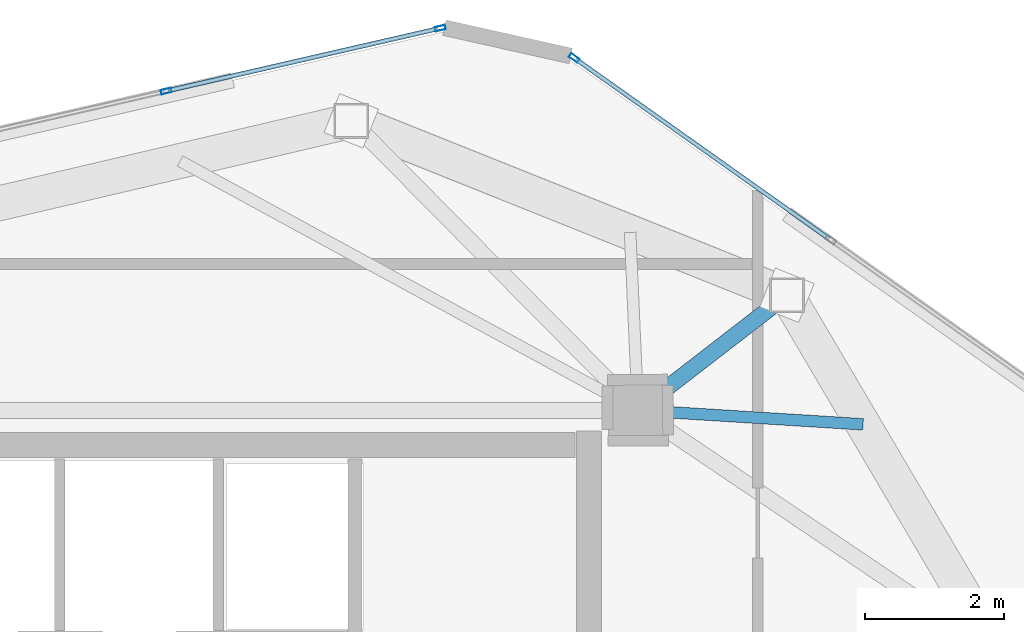
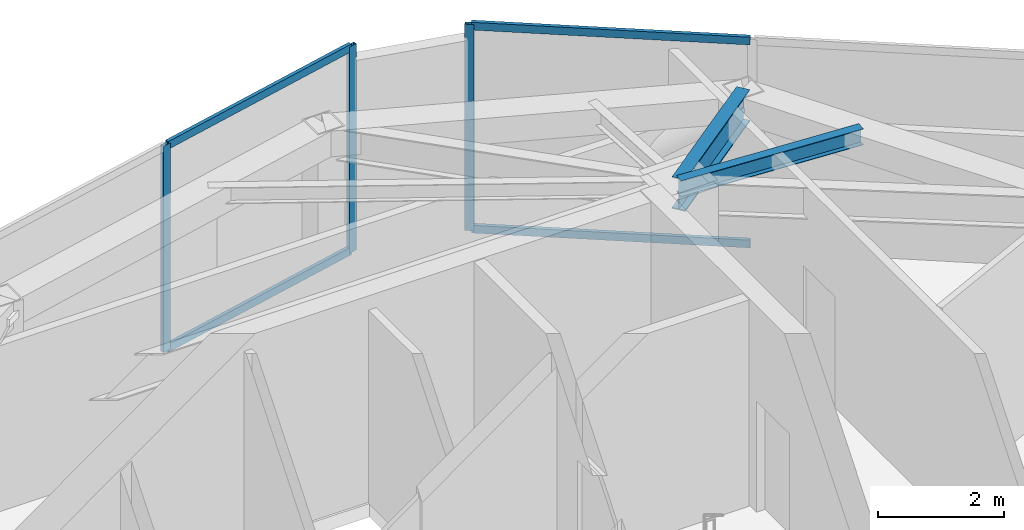
# One storey, part 15 of 21: 7 members, 2 beams, 2 elements without a shape of their own.
"""IFC4 building model written with IfcOpenShell, lengths in metres."""

from ifc_helpers import new_model, si_unit, direction, frame, origin, origin_2d, place, context, subcontext, project, spatial, hollow_rectangle, i_section, extrude, source, transform, mapped, material, layer, layer_set, material_profile, profile_set, type_object, type_shapes, element, aggregate, save


model = new_model("IFC4")

# Units and contexts
model_context = context("Model", 3, precision=1e-05, world=origin(), true_north=direction((0.0, 1.0)))
body_context = subcontext(model_context, "Body", "Model", "MODEL_VIEW")
ifc_project = project(units=[si_unit("LENGTHUNIT", "METRE"), si_unit("AREAUNIT", "SQUARE_METRE"), si_unit("VOLUMEUNIT", "CUBIC_METRE"), si_unit("PLANEANGLEUNIT", "RADIAN"), si_unit("MASSUNIT", "GRAM", prefix="KILO")], contexts=[model_context])

# Site, building, storey
site_placement = place(None, origin())
site = spatial("IfcSite", under=ifc_project, at=site_placement, CompositionType="ELEMENT")
building_placement = place(site_placement, origin())
building = spatial("IfcBuilding", under=site, at=building_placement, Name="Talar Marvaseh", CompositionType="ELEMENT")
storey_placement = place(building_placement, frame((0.0, 0.0, 308.0)))
storey = spatial("IfcBuildingStorey", under=building, at=storey_placement, Name="L82", CompositionType="ELEMENT", Elevation=308.0)

# Beams
ifc_material_1 = material(Name="Steel S355", Category="steel")
ifc_material_profile_1 = material_profile(ifc_material_1, i_section(OverallWidth=0.166015625, OverallDepth=0.31298828125, WebThickness=0.006591796875, FlangeThickness=0.01123046875, at=origin_2d()), Name="W310x45")
ifc_profile_set_1 = profile_set([ifc_material_profile_1], Name="Steel S355")
beam_type_1 = type_object("IfcBeamType", Name="Zone 3 Secondary Floor Joist W310x45", PredefinedType="JOIST", material=ifc_profile_set_1)
beam_1_placement = place(storey_placement, frame((36.52978515625, 36.69873046875, 3.58349609375), z_axis=(-0.998065766367, 0.062166920515, 0.0), x_axis=(-0.062166920515, -0.998065766367, 0.0)))
element("IfcBeam", 1, at=beam_1_placement, inside=storey, type_object=beam_type_1, Name="L82 Zone 3 Secondary Floor Joist W310x45", PredefinedType="JOIST", context=body_context, shape_type="SweptSolid", body=[
    extrude(i_section(OverallWidth=0.166015625, OverallDepth=0.31298828125, WebThickness=0.006591796875, FlangeThickness=0.01123046875, at=origin_2d()), origin(), (0.0, 0.0, 1.0), 3.236083984375),
])
ifc_material_profile_2 = material_profile(ifc_material_1, i_section(OverallWidth=0.22998046875, OverallDepth=0.616943359375, WebThickness=0.01318359375, FlangeThickness=0.022216796875, at=origin_2d()), Name="W610x140")
ifc_profile_set_2 = profile_set([ifc_material_profile_2], Name="Steel S355")
beam_type_2 = type_object("IfcBeamType", Name="Zone 4 Radial Floor Girder W610x140", PredefinedType="BEAM", material=ifc_profile_set_2)
beam_2_placement = place(storey_placement, frame((35.43798828125, 38.551025390625, 3.431396484375), z_axis=(-0.791449946636, -0.611233982996, 0.0), x_axis=(0.611233982996, -0.791449946636, 0.0)))
element("IfcBeam", 2, at=beam_2_placement, inside=storey, type_object=beam_type_2, Name="L82 Zone 4 Radial Floor Girder W610x140", PredefinedType="BEAM", context=body_context, shape_type="SweptSolid", body=[
    extrude(i_section(OverallWidth=0.22998046875, OverallDepth=0.616943359375, WebThickness=0.01318359375, FlangeThickness=0.022216796875, at=origin_2d()), origin(), (0.0, 0.0, 1.0), 2.701416015625),
])

# Curtain wall, members
ifc_material_2 = material(Name="Architectural Aluminium", Category="aluminium")
ifc_layer = layer(ifc_material_2, 0.2099609375)
ifc_layer_set = layer_set([ifc_layer], Name="Architectural Aluminium")
curtain_wall_type = type_object("IfcCurtainWallType", Name="Crown Plant Acoustic Spandrel Curtain Wall", PredefinedType="NOTDEFINED", material=ifc_layer_set)
curtain_wall_1_placement = place(storey_placement, origin())
curtain_wall_1 = element("IfcCurtainWall", 3, at=curtain_wall_1_placement, inside=storey, type_object=curtain_wall_type, Name="L82 Crown Plant Acoustic Spandrel Curtain Wall", PredefinedType="NOTDEFINED")
ifc_material_profile_3 = material_profile(ifc_material_2, hollow_rectangle(XDim=0.06494140625, YDim=0.14990234375, WallThickness=0.00390625, at=origin_2d()), Name="RHS150x65x4")
ifc_profile_set_3 = profile_set([ifc_material_profile_3], Name="Architectural Aluminium")
member_type_1 = type_object("IfcMemberType", Name="Unitised Curtain Wall Slim Transom RHS150x65x4", PredefinedType="USERDEFINED", material=ifc_profile_set_3)
shared_shape_1 = source(origin(), body_context, "Body", "SweptSolid", [
    extrude(hollow_rectangle(XDim=0.06494140625, YDim=0.14990234375, WallThickness=0.00390625, at=origin_2d()), origin(), (0.0, 0.0, 1.0), 4.447265625),
])
member_1_placement = place(storey_placement, frame((32.41064453125, 41.93603515625, 0.032470703125), z_axis=(0.815690974726, -0.578487885569, 0.0), x_axis=(0.578487885569, 0.815690974726, 0.0)))
member_1 = element("IfcMember", 4, at=member_1_placement, type_object=member_type_1, Name="CW-CRN transom 1.1", ObjectType="TRANSOM", PredefinedType="USERDEFINED", context=body_context, shape_type="MappedRepresentation", body=[
    mapped(shared_shape_1, transform((0.0, 0.0, 0.0), x_axis=(1.0, 0.0, 0.0), y_axis=(0.0, 1.0, 0.0), z_axis=(0.0, 0.0, 1.0), scale=1.0)),
])
member_2_placement = place(storey_placement, frame((32.41064453125, 41.93603515625, 3.967529296875), z_axis=(0.815690974726, -0.578487885569, 0.0), x_axis=(0.578487885569, 0.815690974726, 0.0)))
member_2 = element("IfcMember", 5, at=member_2_placement, type_object=member_type_1, Name="CW-CRN transom 1.2", ObjectType="TRANSOM", PredefinedType="USERDEFINED", context=body_context, shape_type="MappedRepresentation", body=[
    mapped(shared_shape_1, transform((0.0, 0.0, 0.0), x_axis=(1.0, 0.0, 0.0), y_axis=(0.0, 1.0, 0.0), z_axis=(0.0, 0.0, 1.0), scale=1.0)),
])

curtain_wall_2_placement = place(storey_placement, origin())
curtain_wall_2 = element("IfcCurtainWall", 6, at=curtain_wall_2_placement, inside=storey, type_object=curtain_wall_type, Name="L82 Crown Plant Acoustic Spandrel Curtain Wall", PredefinedType="NOTDEFINED")
shared_shape_2 = source(origin(), body_context, "Body", "SweptSolid", [
    extrude(hollow_rectangle(XDim=0.06494140625, YDim=0.14990234375, WallThickness=0.00390625, at=origin_2d()), origin(), (0.0, 0.0, 1.0), 3.97119140625),
])
type_shapes(member_type_1, [shared_shape_1, shared_shape_2])
member_3_placement = place(storey_placement, frame((26.564208984375, 41.48583984375, 0.032470703125), z_axis=(0.974638250657, 0.223786238087, 0.0), x_axis=(-0.223786238087, 0.974638250657, 0.0)))
member_3 = element("IfcMember", 7, at=member_3_placement, type_object=member_type_1, Name="CW-CRN transom 3.1", ObjectType="TRANSOM", PredefinedType="USERDEFINED", context=body_context, shape_type="MappedRepresentation", body=[
    mapped(shared_shape_2, transform((0.0, 0.0, 0.0), x_axis=(1.0, 0.0, 0.0), y_axis=(0.0, 1.0, 0.0), z_axis=(0.0, 0.0, 1.0), scale=1.0)),
])
member_4_placement = place(storey_placement, frame((26.564208984375, 41.48583984375, 3.967529296875), z_axis=(0.974638250657, 0.223786238087, 0.0), x_axis=(-0.223786238087, 0.974638250657, 0.0)))
member_4 = element("IfcMember", 8, at=member_4_placement, type_object=member_type_1, Name="CW-CRN transom 3.2", ObjectType="TRANSOM", PredefinedType="USERDEFINED", context=body_context, shape_type="MappedRepresentation", body=[
    mapped(shared_shape_2, transform((0.0, 0.0, 0.0), x_axis=(1.0, 0.0, 0.0), y_axis=(0.0, 1.0, 0.0), z_axis=(0.0, 0.0, 1.0), scale=1.0)),
])
ifc_material_profile_4 = material_profile(ifc_material_2, hollow_rectangle(XDim=0.06494140625, YDim=0.14990234375, WallThickness=0.00390625, at=origin_2d()), Name="RHS150x65x4")
ifc_profile_set_4 = profile_set([ifc_material_profile_4], Name="Architectural Aluminium")
member_type_2 = type_object("IfcMemberType", Name="Unitised Curtain Wall Slim Mullion RHS150x65x4", PredefinedType="MULLION", material=ifc_profile_set_4)
shared_shape_3 = source(origin(), body_context, "Body", "SweptSolid", [
    extrude(hollow_rectangle(XDim=0.06494140625, YDim=0.14990234375, WallThickness=0.00390625, at=origin_2d()), origin(), (0.0, 0.0, 1.0), 4.0),
])
type_shapes(member_type_2, [shared_shape_3])
member_5_placement = place(storey_placement, frame((26.532470703125, 41.478515625, 0.0), z_axis=(0.0, 0.0, 1.0), x_axis=(-0.223791926761, 0.974636944465, 0.0)))
member_5 = element("IfcMember", 9, at=member_5_placement, type_object=member_type_2, Name="CW-CRN mullion 3", PredefinedType="MULLION", context=body_context, shape_type="MappedRepresentation", body=[
    mapped(shared_shape_3, transform((0.0, 0.0, 0.0), x_axis=(1.0, 0.0, 0.0), y_axis=(0.0, 1.0, 0.0), z_axis=(0.0, 0.0, 1.0), scale=1.0)),
])
member_6_placement = place(storey_placement, frame((30.46630859375, 42.3818359375, 0.0), z_axis=(0.0, 0.0, 1.0), x_axis=(-0.223791926761, 0.974636944465, 0.0)))
member_6 = element("IfcMember", 10, at=member_6_placement, type_object=member_type_2, Name="CW-CRN mullion 4", PredefinedType="MULLION", context=body_context, shape_type="MappedRepresentation", body=[
    mapped(shared_shape_3, transform((0.0, 0.0, 0.0), x_axis=(1.0, 0.0, 0.0), y_axis=(0.0, 1.0, 0.0), z_axis=(0.0, 0.0, 1.0), scale=1.0)),
])
aggregate(curtain_wall_2, [member_5, member_6, member_3, member_4])

# Member
member_7_placement = place(storey_placement, frame((32.38427734375, 41.954833984375, 0.0), z_axis=(0.0, 0.0, 1.0), x_axis=(0.578512539176, 0.815673489833, 0.0)))
member_7 = element("IfcMember", 11, at=member_7_placement, type_object=member_type_2, Name="CW-CRN mullion 1", PredefinedType="MULLION", context=body_context, shape_type="MappedRepresentation", body=[
    mapped(shared_shape_3, transform((0.0, 0.0, 0.0), x_axis=(1.0, 0.0, 0.0), y_axis=(0.0, 1.0, 0.0), z_axis=(0.0, 0.0, 1.0), scale=1.0)),
])

aggregate(curtain_wall_1, [member_7, member_1, member_2])

save(model, "model.ifc")
